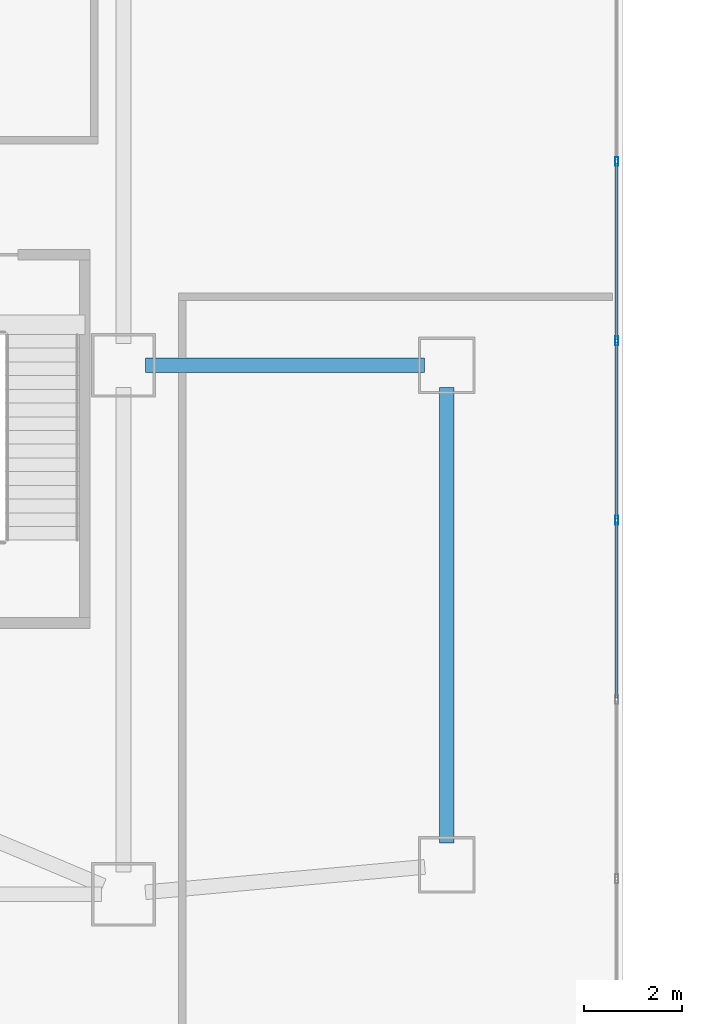
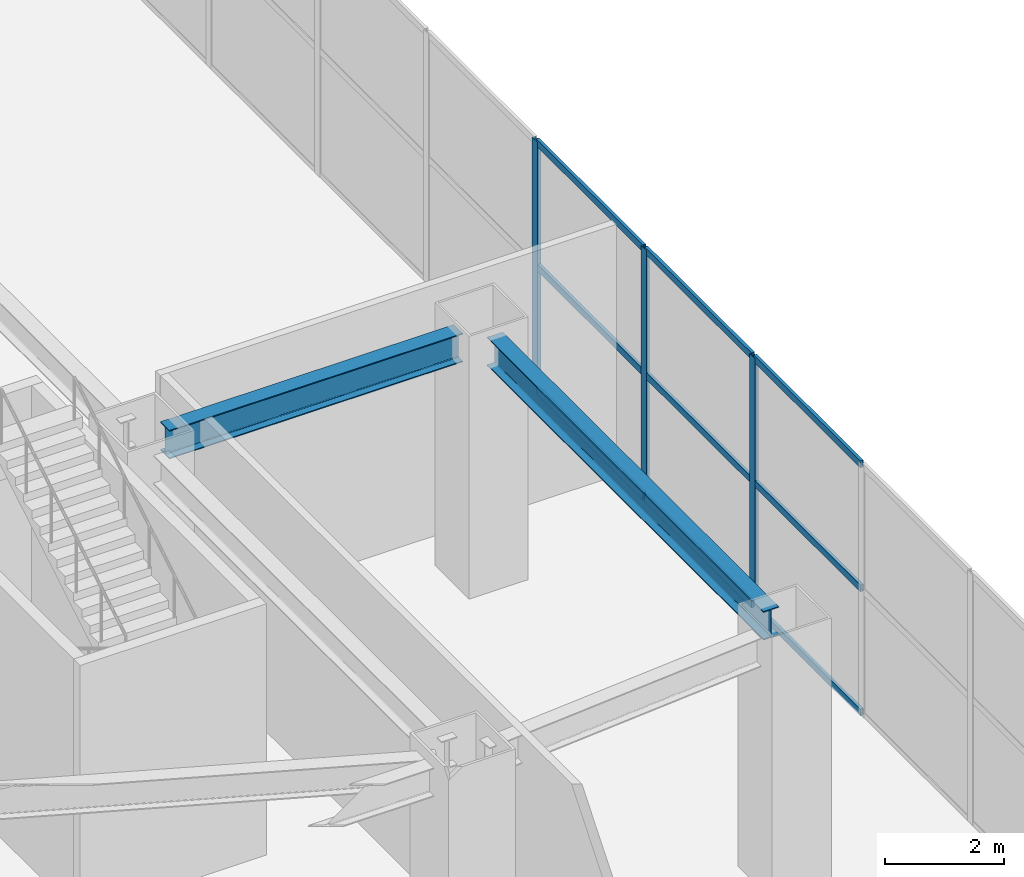
# One storey, part 23 of 37: 12 members, 2 beams, 1 element without a shape of its own.
"""IFC4 building model written with IfcOpenShell, lengths in metres."""

from ifc_helpers import new_model, si_unit, direction, frame, origin, origin_2d, place, context, subcontext, project, spatial, hollow_rectangle, i_section, extrude, material, layer, layer_set, material_profile, profile_set, type_object, element, aggregate, save


model = new_model("IFC4")

# Units and contexts
model_context = context("Model", 3, precision=1e-05, world=origin(), true_north=direction((0.0, 1.0)))
body_context = subcontext(model_context, "Body", "Model", "MODEL_VIEW")
ifc_project = project(units=[si_unit("LENGTHUNIT", "METRE"), si_unit("AREAUNIT", "SQUARE_METRE"), si_unit("VOLUMEUNIT", "CUBIC_METRE"), si_unit("PLANEANGLEUNIT", "RADIAN"), si_unit("MASSUNIT", "GRAM", prefix="KILO")], contexts=[model_context])

# Site, building, storey
site_placement = place(None, origin())
site = spatial("IfcSite", under=ifc_project, at=site_placement, CompositionType="ELEMENT")
building_placement = place(site_placement, origin())
building = spatial("IfcBuilding", under=site, at=building_placement, Name="Haolan Belvedere Tower", CompositionType="ELEMENT")
storey_placement = place(building_placement, frame((0.0, 0.0, 10.199951171875)))
storey = spatial("IfcBuildingStorey", under=building, at=storey_placement, Name="L02", CompositionType="ELEMENT", Elevation=10.199951171875)

# Beams
ifc_material_1 = material(Name="Steel Q355B", Category="steel")
ifc_material_profile_1 = material_profile(ifc_material_1, i_section(OverallWidth=0.300048828125, OverallDepth=0.587890625, WebThickness=0.011962890625, FlangeThickness=0.02001953125, FilletRadius=0.028076171875, at=origin_2d()), Name="Steel Q355B")
ifc_profile_set_1 = profile_set([ifc_material_profile_1], Name="Steel Q355B")
beam_type = type_object("IfcBeamType", Name="BM-HM588x300x12x20", PredefinedType="SPANDREL", material=ifc_profile_set_1)
beam_1_placement = place(storey_placement, frame((70.800048828125, 17.85009765625, 4.865966796875), z_axis=(0.0, 1.0, 0.0), x_axis=(-1.0, 0.0, 0.0)))
element("IfcBeam", 1, at=beam_1_placement, inside=storey, type_object=beam_type, Name="L02 spandrel girder MC-T5-SE-MC-T5-NE", PredefinedType="SPANDREL", context=body_context, shape_type="SweptSolid", body=[
    extrude(i_section(OverallWidth=0.300048828125, OverallDepth=0.587890625, WebThickness=0.011962890625, FlangeThickness=0.02001953125, FilletRadius=0.028076171875, at=origin_2d()), origin(), (0.0, 0.0, 1.0), 9.2998046875),
])
beam_2_placement = place(storey_placement, frame((64.64990234375, 27.60009765625, 4.865966796875), z_axis=(1.0, 0.0, 0.0), x_axis=(0.0, 1.0, 0.0)))
element("IfcBeam", 2, at=beam_2_placement, inside=storey, type_object=beam_type, Name="L02 spandrel girder MC-T4-ME-MC-T5-NE", PredefinedType="SPANDREL", context=body_context, shape_type="SweptSolid", body=[
    extrude(i_section(OverallWidth=0.300048828125, OverallDepth=0.587890625, WebThickness=0.011962890625, FlangeThickness=0.02001953125, FilletRadius=0.028076171875, at=origin_2d()), origin(), (0.0, 0.0, 1.0), 5.7001953125),
])

# Curtain wall, members
ifc_material_2 = material(Name="Anodised champagne-silver aluminium 6063-T6 and Low-E glass", Category="aluminium")
ifc_layer = layer(ifc_material_2, 0.179931640625, Name="Anodised champagne-silver aluminium 6063-T6 and Low-E glass")
ifc_layer_set = layer_set([ifc_layer], Name="Anodised champagne-silver aluminium 6063-T6 and Low-E glass")
curtain_wall_type = type_object("IfcCurtainWallType", Name="CW-SYS-01", PredefinedType="NOTDEFINED", material=ifc_layer_set)
curtain_wall_placement = place(storey_placement, origin())
curtain_wall = element("IfcCurtainWall", 3, at=curtain_wall_placement, inside=storey, type_object=curtain_wall_type, Name="L02 CW-SYS-01 ribbon curtain wall 2.1", PredefinedType="NOTDEFINED")
ifc_material_3 = material(Name="Anodised aluminium 6063-T6", Category="aluminium")
ifc_material_profile_2 = material_profile(ifc_material_3, hollow_rectangle(XDim=0.06494140625, YDim=0.179931640625, WallThickness=0.00390625, at=origin_2d()), Name="Anodised aluminium 6063-T6")
ifc_profile_set_2 = profile_set([ifc_material_profile_2], Name="Anodised aluminium 6063-T6")
member_type_1 = type_object("IfcMemberType", Name="CW-SYS-01-MUL", PredefinedType="MULLION", material=ifc_profile_set_2)
member_1_placement = place(storey_placement, frame((74.27001953125, 24.439208984375, 0.0), z_axis=(0.0, 0.0, 1.0), x_axis=(-1.0, 0.0, 0.0)))
member_1 = element("IfcMember", 4, at=member_1_placement, type_object=member_type_1, Name="CW-01 mullion 5", PredefinedType="MULLION", context=body_context, shape_type="SweptSolid", body=[
    extrude(hollow_rectangle(XDim=0.06494140625, YDim=0.179931640625, WallThickness=0.00390625, at=origin_2d()), origin(), (0.0, 0.0, 1.0), 5.16015625),
])
member_2_placement = place(storey_placement, frame((74.27001953125, 28.1005859375, 0.0), z_axis=(0.0, 0.0, 1.0), x_axis=(-1.0, 0.0, 0.0)))
member_2 = element("IfcMember", 5, at=member_2_placement, type_object=member_type_1, Name="CW-01 mullion 6", PredefinedType="MULLION", context=body_context, shape_type="SweptSolid", body=[
    extrude(hollow_rectangle(XDim=0.06494140625, YDim=0.179931640625, WallThickness=0.00390625, at=origin_2d()), origin(), (0.0, 0.0, 1.0), 5.16015625),
])
member_3_placement = place(storey_placement, frame((74.27001953125, 31.761962890625, 0.0), z_axis=(0.0, 0.0, 1.0), x_axis=(-1.0, 0.0, 0.0)))
member_3 = element("IfcMember", 6, at=member_3_placement, type_object=member_type_1, Name="CW-01 mullion 7", PredefinedType="MULLION", context=body_context, shape_type="SweptSolid", body=[
    extrude(hollow_rectangle(XDim=0.06494140625, YDim=0.179931640625, WallThickness=0.00390625, at=origin_2d()), origin(), (0.0, 0.0, 1.0), 5.16015625),
])
ifc_material_profile_3 = material_profile(ifc_material_3, hollow_rectangle(XDim=0.06005859375, YDim=0.139892578125, WallThickness=0.00390625, at=origin_2d()), Name="Anodised aluminium 6063-T6")
ifc_profile_set_3 = profile_set([ifc_material_profile_3], Name="Anodised aluminium 6063-T6")
member_type_2 = type_object("IfcMemberType", Name="CW-SYS-01-TRN", PredefinedType="USERDEFINED", material=ifc_profile_set_3)
member_4_placement = place(storey_placement, frame((74.27001953125, 20.810302734375, 0.030029296875), z_axis=(0.0, 1.0, 0.0), x_axis=(-1.0, 0.0, 0.0)))
member_4 = element("IfcMember", 7, at=member_4_placement, type_object=member_type_2, Name="CW-01 transom 4.1", ObjectType="TRANSOM", PredefinedType="USERDEFINED", context=body_context, shape_type="SweptSolid", body=[
    extrude(hollow_rectangle(XDim=0.06005859375, YDim=0.139892578125, WallThickness=0.00390625, at=origin_2d()), origin(), (0.0, 0.0, 1.0), 3.596435546875),
])
member_5_placement = place(storey_placement, frame((74.27001953125, 20.810302734375, 2.580078125), z_axis=(0.0, 1.0, 0.0), x_axis=(-1.0, 0.0, 0.0)))
member_5 = element("IfcMember", 8, at=member_5_placement, type_object=member_type_2, Name="CW-01 transom 4.2", ObjectType="TRANSOM", PredefinedType="USERDEFINED", context=body_context, shape_type="SweptSolid", body=[
    extrude(hollow_rectangle(XDim=0.06005859375, YDim=0.139892578125, WallThickness=0.00390625, at=origin_2d()), origin(), (0.0, 0.0, 1.0), 3.596435546875),
])
member_6_placement = place(storey_placement, frame((74.27001953125, 20.810302734375, 5.130126953125), z_axis=(0.0, 1.0, 0.0), x_axis=(-1.0, 0.0, 0.0)))
member_6 = element("IfcMember", 9, at=member_6_placement, type_object=member_type_2, Name="CW-01 transom 4.3", ObjectType="TRANSOM", PredefinedType="USERDEFINED", context=body_context, shape_type="SweptSolid", body=[
    extrude(hollow_rectangle(XDim=0.06005859375, YDim=0.139892578125, WallThickness=0.00390625, at=origin_2d()), origin(), (0.0, 0.0, 1.0), 3.596435546875),
])
member_7_placement = place(storey_placement, frame((74.27001953125, 24.4716796875, 0.030029296875), z_axis=(0.0, 1.0, 0.0), x_axis=(-1.0, 0.0, 0.0)))
member_7 = element("IfcMember", 10, at=member_7_placement, type_object=member_type_2, Name="CW-01 transom 5.1", ObjectType="TRANSOM", PredefinedType="USERDEFINED", context=body_context, shape_type="SweptSolid", body=[
    extrude(hollow_rectangle(XDim=0.06005859375, YDim=0.139892578125, WallThickness=0.00390625, at=origin_2d()), origin(), (0.0, 0.0, 1.0), 3.596435546875),
])
member_8_placement = place(storey_placement, frame((74.27001953125, 24.4716796875, 2.580078125), z_axis=(0.0, 1.0, 0.0), x_axis=(-1.0, 0.0, 0.0)))
member_8 = element("IfcMember", 11, at=member_8_placement, type_object=member_type_2, Name="CW-01 transom 5.2", ObjectType="TRANSOM", PredefinedType="USERDEFINED", context=body_context, shape_type="SweptSolid", body=[
    extrude(hollow_rectangle(XDim=0.06005859375, YDim=0.139892578125, WallThickness=0.00390625, at=origin_2d()), origin(), (0.0, 0.0, 1.0), 3.596435546875),
])
member_9_placement = place(storey_placement, frame((74.27001953125, 24.4716796875, 5.130126953125), z_axis=(0.0, 1.0, 0.0), x_axis=(-1.0, 0.0, 0.0)))
member_9 = element("IfcMember", 12, at=member_9_placement, type_object=member_type_2, Name="CW-01 transom 5.3", ObjectType="TRANSOM", PredefinedType="USERDEFINED", context=body_context, shape_type="SweptSolid", body=[
    extrude(hollow_rectangle(XDim=0.06005859375, YDim=0.139892578125, WallThickness=0.00390625, at=origin_2d()), origin(), (0.0, 0.0, 1.0), 3.596435546875),
])
member_10_placement = place(storey_placement, frame((74.27001953125, 28.133056640625, 0.030029296875), z_axis=(0.0, 1.0, 0.0), x_axis=(-1.0, 0.0, 0.0)))
member_10 = element("IfcMember", 13, at=member_10_placement, type_object=member_type_2, Name="CW-01 transom 6.1", ObjectType="TRANSOM", PredefinedType="USERDEFINED", context=body_context, shape_type="SweptSolid", body=[
    extrude(hollow_rectangle(XDim=0.06005859375, YDim=0.139892578125, WallThickness=0.00390625, at=origin_2d()), origin(), (0.0, 0.0, 1.0), 3.596435546875),
])
member_11_placement = place(storey_placement, frame((74.27001953125, 28.133056640625, 2.580078125), z_axis=(0.0, 1.0, 0.0), x_axis=(-1.0, 0.0, 0.0)))
member_11 = element("IfcMember", 14, at=member_11_placement, type_object=member_type_2, Name="CW-01 transom 6.2", ObjectType="TRANSOM", PredefinedType="USERDEFINED", context=body_context, shape_type="SweptSolid", body=[
    extrude(hollow_rectangle(XDim=0.06005859375, YDim=0.139892578125, WallThickness=0.00390625, at=origin_2d()), origin(), (0.0, 0.0, 1.0), 3.596435546875),
])
member_12_placement = place(storey_placement, frame((74.27001953125, 28.133056640625, 5.130126953125), z_axis=(0.0, 1.0, 0.0), x_axis=(-1.0, 0.0, 0.0)))
member_12 = element("IfcMember", 15, at=member_12_placement, type_object=member_type_2, Name="CW-01 transom 6.3", ObjectType="TRANSOM", PredefinedType="USERDEFINED", context=body_context, shape_type="SweptSolid", body=[
    extrude(hollow_rectangle(XDim=0.06005859375, YDim=0.139892578125, WallThickness=0.00390625, at=origin_2d()), origin(), (0.0, 0.0, 1.0), 3.596435546875),
])
aggregate(curtain_wall, [member_1, member_2, member_3, member_4, member_5, member_6, member_7, member_8, member_9, member_10, member_11, member_12])

save(model, "model.ifc")
